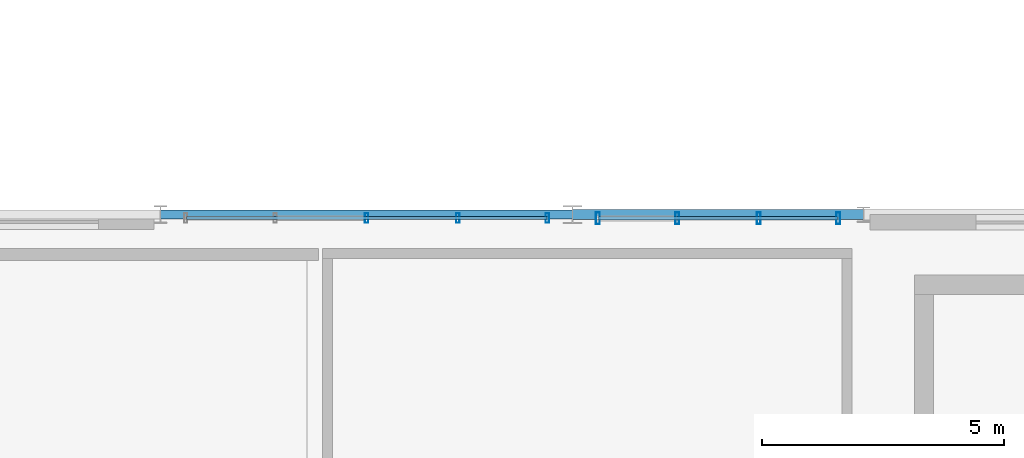
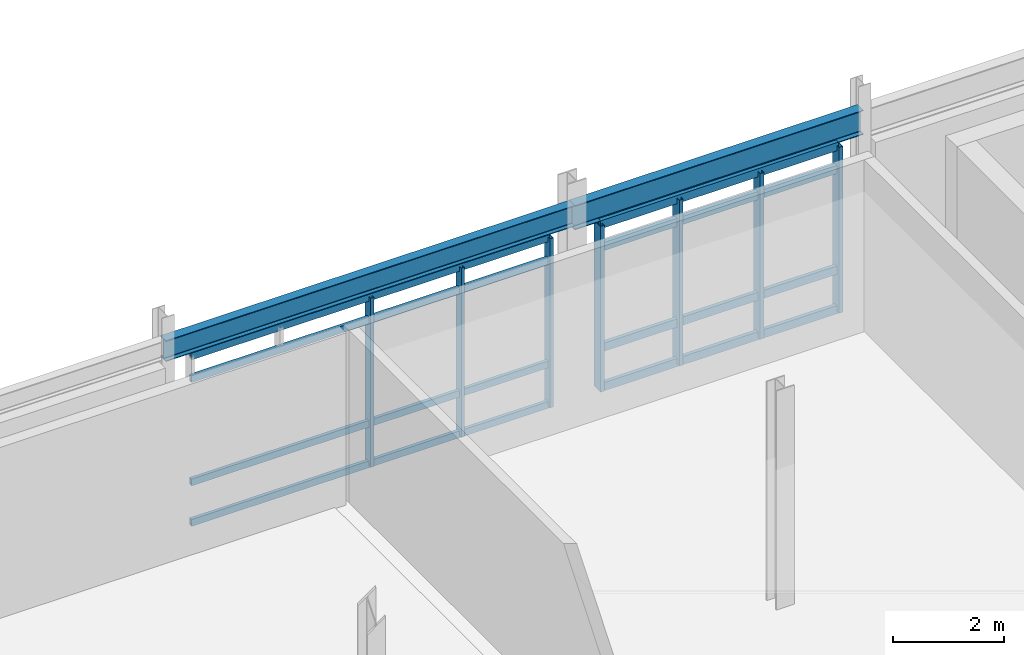
# One storey, part 28 of 56: 15 members, 2 beams, 2 elements without a shape of their own.
"""IFC4 building model written with IfcOpenShell, lengths in metres."""

from ifc_helpers import new_model, si_unit, direction, frame, origin, origin_2d, place, context, subcontext, project, spatial, hollow_rectangle, i_section, extrude, material, material_profile, profile_set, type_object, element, aggregate, save


model = new_model("IFC4")

# Units and contexts
model_context = context("Model", 3, precision=1e-05, world=origin(), true_north=direction((0.0, 1.0)))
body_context = subcontext(model_context, "Body", "Model", "MODEL_VIEW")
ifc_project = project(units=[si_unit("LENGTHUNIT", "METRE"), si_unit("AREAUNIT", "SQUARE_METRE"), si_unit("VOLUMEUNIT", "CUBIC_METRE"), si_unit("PLANEANGLEUNIT", "RADIAN"), si_unit("MASSUNIT", "GRAM", prefix="KILO"), si_unit("THERMODYNAMICTEMPERATUREUNIT", "KELVIN"), si_unit("POWERUNIT", "WATT")], contexts=[model_context])

# Site, building, storey
site_placement = place(None, origin())
site = spatial("IfcSite", under=ifc_project, at=site_placement, CompositionType="ELEMENT")
building_placement = place(site_placement, origin())
building = spatial("IfcBuilding", under=site, at=building_placement, Name="Tepalcoro Natatorium and Aquatics Centre", CompositionType="ELEMENT")
storey_placement = place(building_placement, frame((0.0, 0.0, 14.800048828125)))
storey = spatial("IfcBuildingStorey", under=building, at=storey_placement, Name="L03", CompositionType="ELEMENT", Elevation=14.800048828125)

# Curtain wall, members
ifc_material_1 = material(Name="Bronze-Anodised Extruded Aluminium Alloy EN AW-6063 T6", Category="aluminium")
curtain_wall_type_1 = type_object("IfcCurtainWallType", Name="CW_LEAN_T1_EW", PredefinedType="USERDEFINED", material=ifc_material_1)
curtain_wall_1_placement = place(storey_placement, origin())
curtain_wall_1 = element("IfcCurtainWall", 1, at=curtain_wall_1_placement, inside=storey, type_object=curtain_wall_type_1, Name="V2 L03 N Unitised Curtain Wall Bay 2", ObjectType="FACETED SOLAR GLAZING", PredefinedType="USERDEFINED")
ifc_material_profile_1 = material_profile(ifc_material_1, hollow_rectangle(XDim=0.070068359375, YDim=0.199951171875, WallThickness=0.0048828125, at=origin_2d()), Name="AL70X200X5")
ifc_profile_set_1 = profile_set([ifc_material_profile_1], Name="Bronze-Anodised Extruded Aluminium Alloy EN AW-6063 T6")
member_type_1 = type_object("IfcMemberType", Name="CW_MUL_70x200", PredefinedType="MULLION", material=ifc_profile_set_1)
member_1_placement = place(storey_placement, frame((154.75, 58.9287109375, 0.02001953125), z_axis=(0.0, 0.0, 1.0), x_axis=(1.0, 0.0, 0.0)))
member_1 = element("IfcMember", 2, at=member_1_placement, type_object=member_type_1, Name="CW_LEAN_T1_EW Curtain Wall Mullion", PredefinedType="MULLION", context=body_context, shape_type="SweptSolid", body=[
    extrude(hollow_rectangle(XDim=0.070068359375, YDim=0.199951171875, WallThickness=0.0048828125, at=origin_2d()), origin(), (0.0, 0.0, 1.0), 3.719970703125),
])
member_2_placement = place(storey_placement, frame((156.635009765625, 58.9287109375, 0.02001953125), z_axis=(0.0, 0.0, 1.0), x_axis=(1.0, 0.0, 0.0)))
member_2 = element("IfcMember", 3, at=member_2_placement, type_object=member_type_1, Name="CW_LEAN_T1_EW Curtain Wall Mullion", PredefinedType="MULLION", context=body_context, shape_type="SweptSolid", body=[
    extrude(hollow_rectangle(XDim=0.070068359375, YDim=0.199951171875, WallThickness=0.0048828125, at=origin_2d()), origin(), (0.0, 0.0, 1.0), 3.719970703125),
])
member_3_placement = place(storey_placement, frame((158.47998046875, 58.9287109375, 0.02001953125), z_axis=(0.0, 0.0, 1.0), x_axis=(1.0, 0.0, 0.0)))
member_3 = element("IfcMember", 4, at=member_3_placement, type_object=member_type_1, Name="CW_LEAN_T1_EW Curtain Wall Mullion", PredefinedType="MULLION", context=body_context, shape_type="SweptSolid", body=[
    extrude(hollow_rectangle(XDim=0.070068359375, YDim=0.199951171875, WallThickness=0.0048828125, at=origin_2d()), origin(), (0.0, 0.0, 1.0), 3.719970703125),
])

curtain_wall_type_2 = type_object("IfcCurtainWallType", Name="CW_LEAN_T2_NS", PredefinedType="USERDEFINED", material=ifc_material_1)
curtain_wall_2_placement = place(storey_placement, origin())
curtain_wall_2 = element("IfcCurtainWall", 5, at=curtain_wall_2_placement, inside=storey, type_object=curtain_wall_type_2, Name="V2 L03 N Unitised Curtain Wall Bay 3", ObjectType="FACETED SOLAR GLAZING", PredefinedType="USERDEFINED")
ifc_material_profile_2 = material_profile(ifc_material_1, hollow_rectangle(XDim=0.080078125, YDim=0.239990234375, WallThickness=0.0048828125, at=origin_2d()), Name="AL80X240X5")
ifc_profile_set_2 = profile_set([ifc_material_profile_2], Name="Bronze-Anodised Extruded Aluminium Alloy EN AW-6063 T6")
member_type_2 = type_object("IfcMemberType", Name="CW_MUL_80x240", PredefinedType="MULLION", material=ifc_profile_set_2)
member_4_placement = place(storey_placement, frame((159.52001953125, 58.923828125, 0.02001953125), z_axis=(0.0, 0.0, 1.0), x_axis=(1.0, 0.0, 0.0)))
member_4 = element("IfcMember", 6, at=member_4_placement, type_object=member_type_2, Name="CW_LEAN_T2_NS Curtain Wall Mullion", PredefinedType="MULLION", context=body_context, shape_type="SweptSolid", body=[
    extrude(hollow_rectangle(XDim=0.080078125, YDim=0.239990234375, WallThickness=0.0048828125, at=origin_2d()), origin(), (0.0, 0.0, 1.0), 3.64404296875),
])
member_5_placement = place(storey_placement, frame((161.159912109375, 58.923828125, 0.02001953125), z_axis=(0.0, 0.0, 1.0), x_axis=(1.0, 0.0, 0.0)))
member_5 = element("IfcMember", 7, at=member_5_placement, type_object=member_type_2, Name="CW_LEAN_T2_NS Curtain Wall Mullion", PredefinedType="MULLION", context=body_context, shape_type="SweptSolid", body=[
    extrude(hollow_rectangle(XDim=0.080078125, YDim=0.239990234375, WallThickness=0.0048828125, at=origin_2d()), origin(), (0.0, 0.0, 1.0), 3.64404296875),
])
member_6_placement = place(storey_placement, frame((162.840087890625, 58.923828125, 0.02001953125), z_axis=(0.0, 0.0, 1.0), x_axis=(1.0, 0.0, 0.0)))
member_6 = element("IfcMember", 8, at=member_6_placement, type_object=member_type_2, Name="CW_LEAN_T2_NS Curtain Wall Mullion", PredefinedType="MULLION", context=body_context, shape_type="SweptSolid", body=[
    extrude(hollow_rectangle(XDim=0.080078125, YDim=0.239990234375, WallThickness=0.0048828125, at=origin_2d()), origin(), (0.0, 0.0, 1.0), 3.64404296875),
])
member_7_placement = place(storey_placement, frame((164.47998046875, 58.923828125, 0.02001953125), z_axis=(0.0, 0.0, 1.0), x_axis=(1.0, 0.0, 0.0)))
member_7 = element("IfcMember", 9, at=member_7_placement, type_object=member_type_2, Name="CW_LEAN_T2_NS Curtain Wall Mullion", PredefinedType="MULLION", context=body_context, shape_type="SweptSolid", body=[
    extrude(hollow_rectangle(XDim=0.080078125, YDim=0.239990234375, WallThickness=0.0048828125, at=origin_2d()), origin(), (0.0, 0.0, 1.0), 3.64404296875),
])

# Member
ifc_material_profile_3 = material_profile(ifc_material_1, hollow_rectangle(XDim=0.070068359375, YDim=0.14990234375, WallThickness=0.00390625, at=origin_2d()), Name="AL70X150X4")
ifc_profile_set_3 = profile_set([ifc_material_profile_3], Name="Bronze-Anodised Extruded Aluminium Alloy EN AW-6063 T6")
member_type_3 = type_object("IfcMemberType", Name="CW_TRN_70x150", PredefinedType="USERDEFINED", material=ifc_profile_set_3)
member_8_placement = place(storey_placement, frame((151.030029296875, 58.9287109375, 0.050048828125), z_axis=(1.0, 0.0, 0.0), x_axis=(0.0, 1.0, 0.0)))
member_8 = element("IfcMember", 10, at=member_8_placement, type_object=member_type_3, Name="CW_LEAN_T1_EW Curtain Wall Transom", ObjectType="TRANSOM", PredefinedType="USERDEFINED", context=body_context, shape_type="SweptSolid", body=[
    extrude(hollow_rectangle(XDim=0.070068359375, YDim=0.14990234375, WallThickness=0.00390625, at=origin_2d()), origin(), (0.0, 0.0, 1.0), 7.43994140625),
])

member_9_placement = place(storey_placement, frame((151.030029296875, 58.9287109375, 0.93994140625), z_axis=(1.0, 0.0, 0.0), x_axis=(0.0, 1.0, 0.0)))
member_9 = element("IfcMember", 11, at=member_9_placement, type_object=member_type_3, Name="CW_LEAN_T1_EW Curtain Wall Transom", ObjectType="TRANSOM", PredefinedType="USERDEFINED", context=body_context, shape_type="SweptSolid", body=[
    extrude(hollow_rectangle(XDim=0.070068359375, YDim=0.14990234375, WallThickness=0.00390625, at=origin_2d()), origin(), (0.0, 0.0, 1.0), 7.43994140625),
])

member_10_placement = place(storey_placement, frame((151.030029296875, 58.9287109375, 3.2099609375), z_axis=(1.0, 0.0, 0.0), x_axis=(0.0, 1.0, 0.0)))
member_10 = element("IfcMember", 12, at=member_10_placement, type_object=member_type_3, Name="CW_LEAN_T1_EW Curtain Wall Transom", ObjectType="TRANSOM", PredefinedType="USERDEFINED", context=body_context, shape_type="SweptSolid", body=[
    extrude(hollow_rectangle(XDim=0.070068359375, YDim=0.14990234375, WallThickness=0.00390625, at=origin_2d()), origin(), (0.0, 0.0, 1.0), 7.43994140625),
])

member_11_placement = place(storey_placement, frame((151.030029296875, 58.9287109375, 3.7099609375), z_axis=(1.0, 0.0, 0.0), x_axis=(0.0, 1.0, 0.0)))
member_11 = element("IfcMember", 13, at=member_11_placement, type_object=member_type_3, Name="CW_LEAN_T1_EW Curtain Wall Transom", ObjectType="TRANSOM", PredefinedType="USERDEFINED", context=body_context, shape_type="SweptSolid", body=[
    extrude(hollow_rectangle(XDim=0.070068359375, YDim=0.14990234375, WallThickness=0.00390625, at=origin_2d()), origin(), (0.0, 0.0, 1.0), 7.43994140625),
])

aggregate(curtain_wall_1, [member_1, member_2, member_3, member_8, member_9, member_10, member_11])

ifc_material_profile_4 = material_profile(ifc_material_1, hollow_rectangle(XDim=0.080078125, YDim=0.179931640625, WallThickness=0.0048828125, at=origin_2d()), Name="AL80X180X5")
ifc_profile_set_4 = profile_set([ifc_material_profile_4], Name="Bronze-Anodised Extruded Aluminium Alloy EN AW-6063 T6")
member_type_4 = type_object("IfcMemberType", Name="CW_TRN_80x180", PredefinedType="USERDEFINED", material=ifc_profile_set_4)
member_12_placement = place(storey_placement, frame((159.530029296875, 58.923828125, 0.050048828125), z_axis=(1.0, 0.0, 0.0), x_axis=(0.0, 1.0, 0.0)))
member_12 = element("IfcMember", 14, at=member_12_placement, type_object=member_type_4, Name="CW_LEAN_T2_NS Curtain Wall Transom", ObjectType="TRANSOM", PredefinedType="USERDEFINED", context=body_context, shape_type="SweptSolid", body=[
    extrude(hollow_rectangle(XDim=0.080078125, YDim=0.179931640625, WallThickness=0.0048828125, at=origin_2d()), origin(), (0.0, 0.0, 1.0), 4.93994140625),
])

member_13_placement = place(storey_placement, frame((159.530029296875, 58.923828125, 0.9208984375), z_axis=(1.0, 0.0, 0.0), x_axis=(0.0, 1.0, 0.0)))
member_13 = element("IfcMember", 15, at=member_13_placement, type_object=member_type_4, Name="CW_LEAN_T2_NS Curtain Wall Transom", ObjectType="TRANSOM", PredefinedType="USERDEFINED", context=body_context, shape_type="SweptSolid", body=[
    extrude(hollow_rectangle(XDim=0.080078125, YDim=0.179931640625, WallThickness=0.0048828125, at=origin_2d()), origin(), (0.0, 0.0, 1.0), 4.93994140625),
])

member_14_placement = place(storey_placement, frame((159.530029296875, 58.923828125, 3.134033203125), z_axis=(1.0, 0.0, 0.0), x_axis=(0.0, 1.0, 0.0)))
member_14 = element("IfcMember", 16, at=member_14_placement, type_object=member_type_4, Name="CW_LEAN_T2_NS Curtain Wall Transom", ObjectType="TRANSOM", PredefinedType="USERDEFINED", context=body_context, shape_type="SweptSolid", body=[
    extrude(hollow_rectangle(XDim=0.080078125, YDim=0.179931640625, WallThickness=0.0048828125, at=origin_2d()), origin(), (0.0, 0.0, 1.0), 4.93994140625),
])

member_15_placement = place(storey_placement, frame((159.530029296875, 58.923828125, 3.634033203125), z_axis=(1.0, 0.0, 0.0), x_axis=(0.0, 1.0, 0.0)))
member_15 = element("IfcMember", 17, at=member_15_placement, type_object=member_type_4, Name="CW_LEAN_T2_NS Curtain Wall Transom", ObjectType="TRANSOM", PredefinedType="USERDEFINED", context=body_context, shape_type="SweptSolid", body=[
    extrude(hollow_rectangle(XDim=0.080078125, YDim=0.179931640625, WallThickness=0.0048828125, at=origin_2d()), origin(), (0.0, 0.0, 1.0), 4.93994140625),
])

aggregate(curtain_wall_2, [member_4, member_5, member_6, member_7, member_12, member_13, member_14, member_15])

# Beams
ifc_material_2 = material(Name="Steel ASTM A992 Grade 50 (Fy 345 MPa)", Category="steel")
ifc_material_profile_5 = material_profile(ifc_material_2, i_section(OverallWidth=0.19091796875, OverallDepth=0.4599609375, WebThickness=0.010009765625, FlangeThickness=0.01611328125, FilletRadius=0.013916015625, at=origin_2d()), Name="W18X55")
ifc_profile_set_5 = profile_set([ifc_material_profile_5], Name="Steel ASTM A992 Grade 50 (Fy 345 MPa)")
beam_type_1 = type_object("IfcBeamType", Name="SP_W18x55", PredefinedType="SPANDREL", material=ifc_profile_set_5)
beam_1_placement = place(storey_placement, frame((150.5, 59.0, 4.0048828125), z_axis=(1.0, 0.0, 0.0), x_axis=(0.0, 1.0, 0.0)))
element("IfcBeam", 18, at=beam_1_placement, inside=storey, type_object=beam_type_1, Name="V2 L03 Grid Girder X", PredefinedType="SPANDREL", context=body_context, shape_type="SweptSolid", body=[
    extrude(i_section(OverallWidth=0.19091796875, OverallDepth=0.4599609375, WebThickness=0.010009765625, FlangeThickness=0.01611328125, FilletRadius=0.013916015625, at=origin_2d()), origin(), (0.0, 0.0, 1.0), 8.5),
])
ifc_material_profile_6 = material_profile(ifc_material_2, i_section(OverallWidth=0.2099609375, OverallDepth=0.535888671875, WebThickness=0.010986328125, FlangeThickness=0.01708984375, FilletRadius=0.013916015625, at=origin_2d()), Name="W21X68")
ifc_profile_set_6 = profile_set([ifc_material_profile_6], Name="Steel ASTM A992 Grade 50 (Fy 345 MPa)")
beam_type_2 = type_object("IfcBeamType", Name="SP_W21x68", PredefinedType="SPANDREL", material=ifc_profile_set_6)
beam_2_placement = place(storey_placement, frame((159.0, 59.0, 3.967041015625), z_axis=(1.0, 0.0, 0.0), x_axis=(0.0, 1.0, 0.0)))
element("IfcBeam", 19, at=beam_2_placement, inside=storey, type_object=beam_type_2, Name="V2 L03 Grid Girder X", PredefinedType="SPANDREL", context=body_context, shape_type="SweptSolid", body=[
    extrude(i_section(OverallWidth=0.2099609375, OverallDepth=0.535888671875, WebThickness=0.010986328125, FlangeThickness=0.01708984375, FilletRadius=0.013916015625, at=origin_2d()), origin(), (0.0, 0.0, 1.0), 6.0),
])

save(model, "model.ifc")
